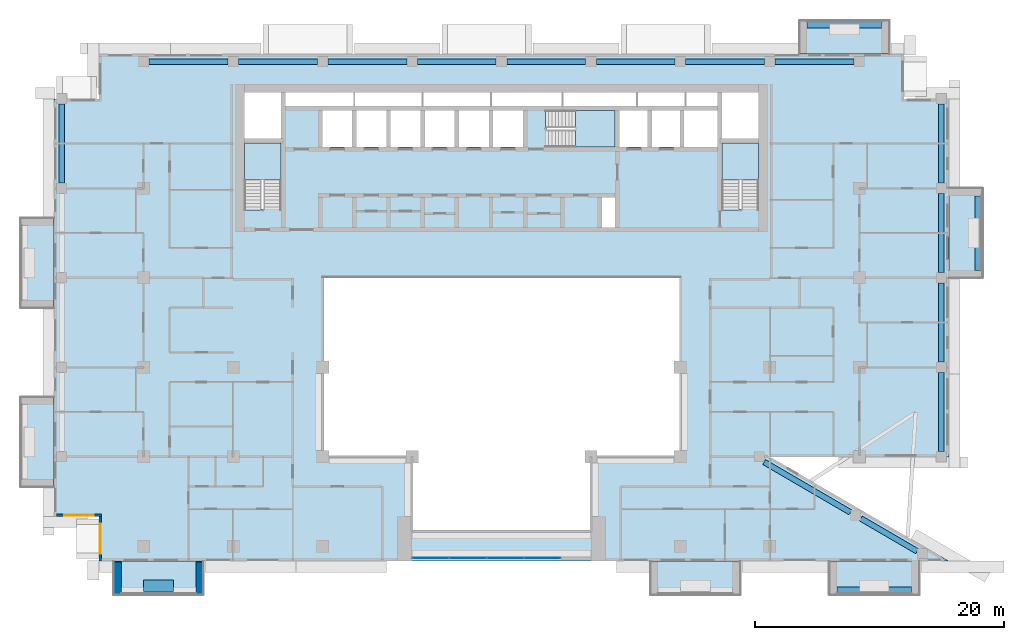
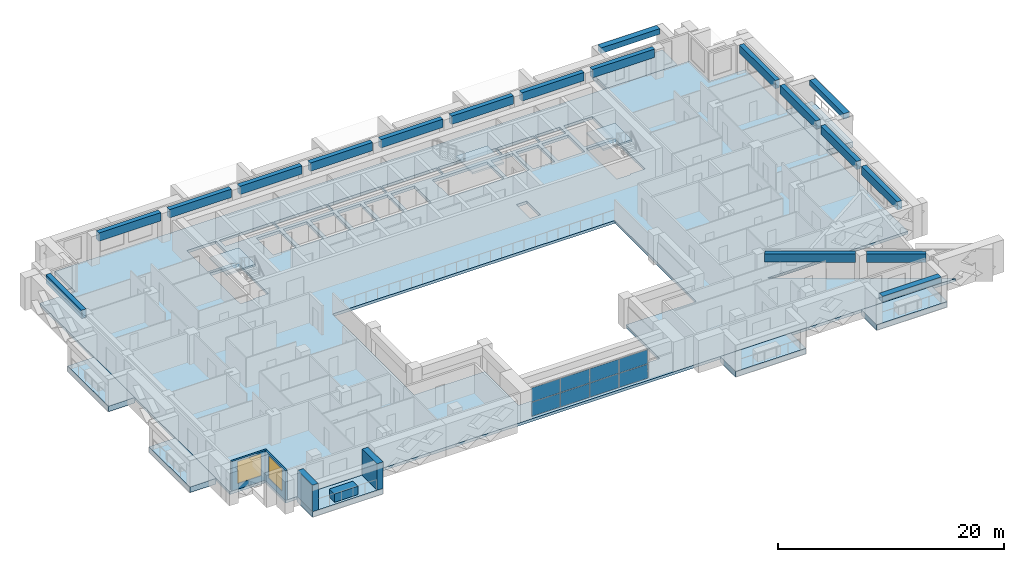
# One storey, part 5 of 20: 18 beams, 11 slabs, 8 plates, 5 walls, 2 windows, 2 openings, 4 elements without a shape of their own.
"""IFC4 building model written with IfcOpenShell, lengths in metres."""

import ifcopenshell
import ifcopenshell.guid

model = None  # the IFC model being written
_history = None  # IfcOwnerHistory: only IFC2X3 demands one
_inside = {}  # id of a spatial element -> (the spatial element, [elements in it])
_under = {}  # id of a project, library or spatial element -> (it, [spatial elements below it])
_declared = {}  # id of a project -> (the project, [libraries it declares])
_typed = {}  # id of a type object -> (the type object, [elements of that type])
_made_of = {}  # id of a material, layer set ... -> (it, [elements and type objects made of it])


def new_model(schema):
    """Start an empty IFC model of exactly this schema.

    Asked for "IFC4X3", IfcOpenShell would pick the latest addendum, in which some entities
    have other attributes; the version numbers below select the first issue.
    IFC2X3 requires an IfcOwnerHistory on every rooted entity: one is made here for all.
    """
    global model, _history
    if schema == "IFC4X3":
        model = ifcopenshell.file(schema_version=(4, 3, 0, 0))
    else:
        model = ifcopenshell.file(schema=schema)
    _inside.clear()
    _under.clear()
    _declared.clear()
    _typed.clear()
    _made_of.clear()
    _history = None
    if model.schema == "IFC2X3":
        org = make("IfcOrganization", Name="unknown")
        user = make(
            "IfcPersonAndOrganization",
            ThePerson=make("IfcPerson", FamilyName="unknown"),
            TheOrganization=org,
        )
        app = make(
            "IfcApplication",
            ApplicationDeveloper=org,
            Version="unknown",
            ApplicationFullName="unknown",
            ApplicationIdentifier="unknown",
        )
        _history = make(
            "IfcOwnerHistory",
            OwningUser=user,
            OwningApplication=app,
            ChangeAction="ADDED",
            CreationDate=0,
        )
    return model


def make(cls, **values):
    """One entity of the class cls with the attributes given. An attribute that is None is left unset."""
    return model.create_entity(
        cls, **{name: value for name, value in values.items() if value is not None}
    )


def rooted(cls, **values):
    """An entity with a GlobalId (a new one), such as an element, a storey or a relation."""
    return make(cls, GlobalId=ifcopenshell.guid.new(), OwnerHistory=_history, **values)


def si_unit(unit_type, name, prefix=None):
    """IfcSIUnit, for example si_unit("LENGTHUNIT", "METRE", prefix="MILLI")."""
    return make("IfcSIUnit", UnitType=unit_type, Prefix=prefix, Name=name)


def assignment(units):
    """IfcUnitAssignment: the units of a project."""
    return None if units is None else make("IfcUnitAssignment", Units=units)


def point(xyz):
    """IfcCartesianPoint."""
    return None if xyz is None else make("IfcCartesianPoint", Coordinates=xyz)


def direction(xyz):
    """IfcDirection."""
    return None if xyz is None else make("IfcDirection", DirectionRatios=xyz)


def frame(location, z_axis=None, x_axis=None):
    """IfcAxis2Placement3D, a coordinate frame: its origin and axes. An axis left out is left unset."""
    return make(
        "IfcAxis2Placement3D",
        Location=point(location),
        Axis=direction(z_axis),
        RefDirection=direction(x_axis),
    )


def frame_2d(location, x_axis=None):
    """IfcAxis2Placement2D, a coordinate frame in the plane: its origin and x axis."""
    return make(
        "IfcAxis2Placement2D", Location=point(location), RefDirection=direction(x_axis)
    )


def origin():
    """The frame at (0, 0, 0) with its axes left unset."""
    return frame((0.0, 0.0, 0.0))


def origin_2d():
    """The frame at (0, 0) in the plane with its x axis left unset."""
    return frame_2d((0.0, 0.0))


def place(relative_to, where):
    """IfcLocalPlacement: puts the frame where relative to a parent placement (None: the world)."""
    return make(
        "IfcLocalPlacement", PlacementRelTo=relative_to, RelativePlacement=where
    )


def context(
    kind, dimensions, precision=None, world=None, true_north=None, identifier=None
):
    """IfcGeometricRepresentationContext, for example the 3D "Model" context."""
    return make(
        "IfcGeometricRepresentationContext",
        ContextIdentifier=identifier,
        ContextType=kind,
        CoordinateSpaceDimension=dimensions,
        Precision=precision,
        WorldCoordinateSystem=world,
        TrueNorth=true_north,
    )


def subcontext(parent, identifier, kind, view, scale=None):
    """IfcGeometricRepresentationSubContext, for example "Body" below "Model"."""
    return make(
        "IfcGeometricRepresentationSubContext",
        ContextIdentifier=identifier,
        ContextType=kind,
        ParentContext=parent,
        TargetScale=scale,
        TargetView=view,
    )


def project(units=None, contexts=None):
    """IfcProject with its units and contexts."""
    return rooted(
        "IfcProject",
        Name="project",
        RepresentationContexts=contexts,
        UnitsInContext=assignment(units),
    )


def spatial(cls, under=None, at=None, **own):
    """A site, building, storey or space (cls), placed at a placement, below another one or the project."""
    s = rooted(cls, ObjectPlacement=at, **own)
    if under is not None:
        _under.setdefault(under.id(), (under, []))[1].append(s)
    return s


def polyline(points):
    """IfcPolyline through the points."""
    return make("IfcPolyline", Points=[point(p) for p in points])


def profile(cls, at=None, kind="AREA", **sizes):
    """A parametric profile (cls). Its sizes go by their IFC names, for example OverallWidth=200.0."""
    return make(cls, ProfileType=kind, Position=at, **sizes)


def rectangle(**sizes):
    """IfcRectangleProfileDef."""
    return profile("IfcRectangleProfileDef", **sizes)


def outline(outer, holes=None, kind="AREA"):
    """IfcArbitraryClosedProfileDef: a profile drawn as a closed curve; with holes, ...WithVoids."""
    if holes is None:
        return make("IfcArbitraryClosedProfileDef", ProfileType=kind, OuterCurve=outer)
    return make(
        "IfcArbitraryProfileDefWithVoids",
        ProfileType=kind,
        OuterCurve=outer,
        InnerCurves=holes,
    )


def extrude(swept, where, along, depth):
    """IfcExtrudedAreaSolid: the profile swept, set in the frame where, extruded along a direction by depth."""
    return make(
        "IfcExtrudedAreaSolid",
        SweptArea=swept,
        Position=where,
        ExtrudedDirection=direction(along),
        Depth=depth,
    )


def shape(context_of_items, identifier, shape_type, items):
    """IfcShapeRepresentation: the items that make up one representation, for example the "Body"."""
    return make(
        "IfcShapeRepresentation",
        ContextOfItems=context_of_items,
        RepresentationIdentifier=identifier,
        RepresentationType=shape_type,
        Items=items,
    )


def source(mapping_origin, context_of_items, identifier, shape_type, items):
    """IfcRepresentationMap: a shape defined once, which mapped items show again and again."""
    return make(
        "IfcRepresentationMap",
        MappingOrigin=mapping_origin,
        MappedRepresentation=shape(context_of_items, identifier, shape_type, items),
    )


def transform(
    local_origin,
    x_axis=None,
    y_axis=None,
    z_axis=None,
    scale=None,
    scale2=None,
    scale3=None,
    uniform=True,
):
    """IfcCartesianTransformationOperator3D, or its non-uniform kind. x_axis, y_axis, z_axis: its Axis1, 2, 3."""
    if uniform:
        return make(
            "IfcCartesianTransformationOperator3D",
            Axis1=direction(x_axis),
            Axis2=direction(y_axis),
            LocalOrigin=point(local_origin),
            Scale=scale,
            Axis3=direction(z_axis),
        )
    return make(
        "IfcCartesianTransformationOperator3DnonUniform",
        Axis1=direction(x_axis),
        Axis2=direction(y_axis),
        LocalOrigin=point(local_origin),
        Scale=scale,
        Axis3=direction(z_axis),
        Scale2=scale2,
        Scale3=scale3,
    )


def mapped(mapping_source, mapping_target):
    """IfcMappedItem: shows the shape of a source again, moved by a transform."""
    return make(
        "IfcMappedItem", MappingSource=mapping_source, MappingTarget=mapping_target
    )


def material(Name=None, Category=None):
    """IfcMaterial."""
    return make("IfcMaterial", Name=Name, Category=Category)


def layer(
    of_material, thickness, ventilated=None, Name=None, Category=None, Priority=None
):
    """IfcMaterialLayer: one layer of a wall or slab, of a material (None: an air gap)."""
    return make(
        "IfcMaterialLayer",
        Material=of_material,
        LayerThickness=thickness,
        IsVentilated=ventilated,
        Name=Name,
        Category=Category,
        Priority=Priority,
    )


def layer_set(layers, Name=None):
    """IfcMaterialLayerSet."""
    return make("IfcMaterialLayerSet", MaterialLayers=layers, LayerSetName=Name)


def material_profile(
    of_material, cross_section, Name=None, Category=None, Priority=None
):
    """IfcMaterialProfile: a cross section and its material."""
    return make(
        "IfcMaterialProfile",
        Name=Name,
        Material=of_material,
        Profile=cross_section,
        Priority=Priority,
        Category=Category,
    )


def profile_set(profiles, Name=None, composite=None):
    """IfcMaterialProfileSet."""
    return make(
        "IfcMaterialProfileSet",
        Name=Name,
        MaterialProfiles=profiles,
        CompositeProfile=composite,
    )


def made_of(thing, what):
    """Note that an element or type object is made of a material, layer set ...; save() writes the relation."""
    if what is not None:
        _made_of.setdefault(what.id(), (what, []))[1].append(thing)
    return thing


def type_object(cls, material=None, **own):
    """A type object (cls), such as IfcWallType, which elements share."""
    return made_of(rooted(cls, **own), material)


def element(
    cls,
    number,
    at=None,
    inside=None,
    cuts=None,
    type_object=None,
    material=None,
    context=None,
    identifier="Body",
    shape_type=None,
    held_by="IfcProductDefinitionShape",
    body=None,
    shapes=None,
    **own,
):
    """One element of the class cls, such as IfcWall. Its Tag is "e" and its number.

    at: its placement. inside: the storey or other place that contains it. cuts: it is an
    opening in that element (IfcRelVoidsElement). A single representation is given by context,
    identifier, shape_type and body (its items); several are given by shapes. held_by: the class
    of the entity that holds the representations. save() writes the other relations.
    """
    e = rooted(cls, Tag="e%d" % number, ObjectPlacement=at, **own)
    if body is not None:
        shapes = [shape(context, identifier, shape_type, body)]
    if shapes is not None:
        e.Representation = make(held_by, Representations=shapes)
    if inside is not None:
        _inside.setdefault(inside.id(), (inside, []))[1].append(e)
    if cuts is not None:
        rooted(
            "IfcRelVoidsElement", RelatingBuildingElement=cuts, RelatedOpeningElement=e
        )
    if type_object is not None:
        _typed.setdefault(type_object.id(), (type_object, []))[1].append(e)
    return made_of(e, material)


def fill(opening, filler):
    """IfcRelFillsElement: the door or window that sits in an opening."""
    return rooted(
        "IfcRelFillsElement",
        RelatingOpeningElement=opening,
        RelatedBuildingElement=filler,
    )


def aggregate(whole, parts):
    """IfcRelAggregates: a whole, such as a stair, and the parts it consists of."""
    return rooted("IfcRelAggregates", RelatingObject=whole, RelatedObjects=parts)


def save(model, path):
    """Write the relations noted so far, then the file.

    IfcRelAggregates (storeys below a building ...), IfcRelContainedInSpatialStructure (elements
    in a storey), IfcRelDefinesByType, IfcRelAssociatesMaterial and IfcRelDeclares: one each for
    every whole, place, type object, material and project.
    """
    for whole, parts in _under.values():
        aggregate(whole, parts)
    for where, things in _inside.values():
        rooted(
            "IfcRelContainedInSpatialStructure",
            RelatedElements=things,
            RelatingStructure=where,
        )
    for kind, things in _typed.values():
        rooted("IfcRelDefinesByType", RelatedObjects=things, RelatingType=kind)
    for what, things in _made_of.values():
        rooted("IfcRelAssociatesMaterial", RelatedObjects=things, RelatingMaterial=what)
    for by, libraries in _declared.values():
        rooted("IfcRelDeclares", RelatingContext=by, RelatedDefinitions=libraries)
    model.write(path)


model = new_model("IFC4")

# Units and contexts
model_context = context("Model", 3, precision=1e-05, world=origin(), true_north=direction((0.0, 1.0)))
body_context = subcontext(model_context, "Body", "Model", "MODEL_VIEW")
ifc_project = project(units=[si_unit("LENGTHUNIT", "METRE"), si_unit("AREAUNIT", "SQUARE_METRE"), si_unit("VOLUMEUNIT", "CUBIC_METRE"), si_unit("PLANEANGLEUNIT", "RADIAN"), si_unit("MASSUNIT", "GRAM", prefix="KILO")], contexts=[model_context])

# Site, building, storey
site_placement = place(None, origin())
site = spatial("IfcSite", under=ifc_project, at=site_placement, CompositionType="ELEMENT")
building_placement = place(site_placement, origin())
building = spatial("IfcBuilding", under=site, at=building_placement, Name="Saffron Iwan Residences", CompositionType="ELEMENT")
storey_placement = place(building_placement, frame((0.0, 0.0, 171.0)))
storey = spatial("IfcBuildingStorey", under=building, at=storey_placement, Name="L45", CompositionType="ELEMENT", Elevation=171.0)

# Beams
ifc_material_1 = material(Name="Concrete C50/60", Category="concrete")
ifc_material_profile_1 = material_profile(ifc_material_1, rectangle(XDim=0.449951171875, YDim=0.89990234375, at=origin_2d()), Name="RC 450x900")
ifc_profile_set_1 = profile_set([ifc_material_profile_1], Name="Concrete C50/60")
beam_type_1 = type_object("IfcBeamType", Name="SPANDREL BEAM RC 450x900 C50/60 TOP 3200", PredefinedType="SPANDREL", material=ifc_profile_set_1)
shared_shape_1 = source(origin(), body_context, "Body", "SweptSolid", [
    extrude(rectangle(XDim=0.449951171875, YDim=0.89990234375, at=origin_2d()), origin(), (0.0, 0.0, 1.0), 5.24267578125),
])
beam_1_placement = place(storey_placement, frame((79.32275390625, 43.03369140625, 2.75), z_axis=(0.863783967805, -0.503862339299, 0.0), x_axis=(0.503862339299, 0.863783967805, 0.0)))
element("IfcBeam", 1, at=beam_1_placement, inside=storey, type_object=beam_type_1, Name="Spandrel beam", PredefinedType="SPANDREL", context=body_context, shape_type="MappedRepresentation", body=[
    mapped(shared_shape_1, transform((0.0, 0.0, 0.0))),
])
shared_shape_2 = source(origin(), body_context, "Body", "SweptSolid", [
    extrude(rectangle(XDim=0.449951171875, YDim=0.89990234375, at=origin_2d()), origin(), (0.0, 0.0, 1.0), 8.028564453125),
])
beam_2_placement = place(storey_placement, frame((71.537841796875, 47.574951171875, 2.75), z_axis=(0.863773386225, -0.503880479132, 0.0), x_axis=(0.503880479132, 0.863773386225, 0.0)))
element("IfcBeam", 2, at=beam_2_placement, inside=storey, type_object=beam_type_1, Name="Spandrel beam", PredefinedType="SPANDREL", context=body_context, shape_type="MappedRepresentation", body=[
    mapped(shared_shape_2, transform((0.0, 0.0, 0.0))),
])
shared_shape_3 = source(origin(), body_context, "Body", "SweptSolid", [
    extrude(rectangle(XDim=0.449951171875, YDim=0.89990234375, at=origin_2d()), origin(), (0.0, 0.0, 1.0), 6.349853515625),
])
for number, where, z_axis, x_axis, name in (
    (3, (85.800048828125, 54.77490234375, 2.75), (0.0, -1.0, 0.0), (1.0, 0.0, 0.0), "Spandrel beam"),
    (4, (29.22509765625, 79.800048828125, 2.75), (1.0, 0.0, 0.0), (0.0, 1.0, 0.0), "Spandrel beam"),
    (5, (36.425048828125, 79.800048828125, 2.75), (1.0, 0.0, 0.0), (0.0, 1.0, 0.0), "Spandrel beam"),
    (6, (65.22509765625, 79.800048828125, 2.75), (1.0, 0.0, 0.0), (0.0, 1.0, 0.0), "Spandrel beam"),
    (7, (72.425048828125, 79.800048828125, 2.75), (1.0, 0.0, 0.0), (0.0, 1.0, 0.0), "Spandrel beam"),
):
    element("IfcBeam", number, at=place(storey_placement, frame(where, z_axis=z_axis, x_axis=x_axis)), inside=storey, type_object=beam_type_1, Name=name, PredefinedType="SPANDREL", context=body_context, shape_type="MappedRepresentation", body=[
        mapped(shared_shape_3, transform((0.0, 0.0, 0.0))),
    ])
shared_shape_4 = source(origin(), body_context, "Body", "SweptSolid", [
    extrude(rectangle(XDim=0.449951171875, YDim=0.89990234375, at=origin_2d()), origin(), (0.0, 0.0, 1.0), 6.35009765625),
])
for number, where, z_axis, x_axis, name in (
    (8, (85.800048828125, 61.97509765625, 2.75), (0.0, -1.0, 0.0), (1.0, 0.0, 0.0), "Spandrel beam"),
    (9, (85.800048828125, 69.175048828125, 2.75), (0.0, -1.0, 0.0), (1.0, 0.0, 0.0), "Spandrel beam"),
    (10, (15.0, 70.02490234375, 2.75), (0.0, 1.0, 0.0), (-1.0, 0.0, 0.0), "Spandrel beam"),
    (11, (85.800048828125, 76.375, 2.75), (0.0, -1.0, 0.0), (1.0, 0.0, 0.0), "Spandrel beam"),
    (12, (22.02490234375, 79.800048828125, 2.75), (1.0, 0.0, 0.0), (0.0, 1.0, 0.0), "Spandrel beam"),
    (13, (43.625, 79.800048828125, 2.75), (1.0, 0.0, 0.0), (0.0, 1.0, 0.0), "Spandrel beam"),
    (14, (50.824951171875, 79.800048828125, 2.75), (1.0, 0.0, 0.0), (0.0, 1.0, 0.0), "Spandrel beam"),
    (15, (58.02490234375, 79.800048828125, 2.75), (1.0, 0.0, 0.0), (0.0, 1.0, 0.0), "Spandrel beam"),
):
    element("IfcBeam", number, at=place(storey_placement, frame(where, z_axis=z_axis, x_axis=x_axis)), inside=storey, type_object=beam_type_1, Name=name, PredefinedType="SPANDREL", context=body_context, shape_type="MappedRepresentation", body=[
        mapped(shared_shape_4, transform((0.0, 0.0, 0.0))),
    ])
ifc_material_2 = material(Name="Concrete C50/60 white painted", Category="concrete")
ifc_material_profile_2 = material_profile(ifc_material_2, rectangle(XDim=0.60009765625, YDim=0.60009765625, at=origin_2d()), Name="BALCONY FASCIA BEAM 600 x 600")
ifc_profile_set_2 = profile_set([ifc_material_profile_2], Name="Concrete C50/60 white painted")
beam_type_2 = type_object("IfcBeamType", Name="BALCONY FASCIA BEAM 600 x 600", PredefinedType="BEAM", material=ifc_profile_set_2)
shared_shape_5 = source(origin(), body_context, "Body", "SweptSolid", [
    extrude(rectangle(XDim=0.60009765625, YDim=0.60009765625, at=origin_2d()), origin(), (0.0, 0.0, 1.0), 6.0),
])
for number, where, z_axis, x_axis, name in (
    (16, (88.800048828125, 63.0, 2.550048828125), (0.0, 1.0, 0.0), (-1.0, 0.0, 0.0), "Balcony fascia beam L45 F2-0"),
    (17, (81.0, 82.800048828125, 2.550048828125), (-1.0, 0.0, 0.0), (0.0, -1.0, 0.0), "Balcony fascia beam L45 F5-0"),
    (18, (77.39990234375, 37.199951171875, 2.550048828125), (1.0, 0.0, 0.0), (0.0, 1.0, 0.0), "Balcony fascia beam L45 11-3"),
):
    element("IfcBeam", number, at=place(storey_placement, frame(where, z_axis=z_axis, x_axis=x_axis)), inside=storey, type_object=beam_type_2, Name=name, PredefinedType="BEAM", context=body_context, shape_type="MappedRepresentation", body=[
        mapped(shared_shape_5, transform((0.0, 0.0, 0.0))),
    ])

# Slabs
ifc_layer_1 = layer(ifc_material_2, 0.60009765625)
ifc_layer_set_1 = layer_set([ifc_layer_1], Name="Concrete C50/60 white painted")
slab_type_1 = type_object("IfcSlabType", Name="BALCONY FRAME SLAB 600", PredefinedType="FLOOR", material=ifc_layer_set_1)
slab_1_placement = place(storey_placement, frame((0.0, 0.0, -0.60009765625)))
element("IfcSlab", 19, at=slab_1_placement, inside=storey, type_object=slab_type_1, Name="Balcony frame slab L45 F2-0", PredefinedType="FLOOR", context=body_context, shape_type="SweptSolid", body=[
    extrude(outline(polyline([(89.10009765625, 62.39990234375), (89.10009765625, 69.60009765625), (86.39990234375, 69.60009765625), (86.39990234375, 62.39990234375), (89.10009765625, 62.39990234375)])), origin(), (0.0, 0.0, 1.0), 0.60009765625),
])
slab_2_placement = place(storey_placement, frame((0.0, 0.0, -0.60009765625)))
element("IfcSlab", 20, at=slab_2_placement, inside=storey, type_object=slab_type_1, Name="Balcony frame slab L45 F5-0", PredefinedType="FLOOR", context=body_context, shape_type="SweptSolid", body=[
    extrude(outline(polyline([(81.60009765625, 83.10009765625), (74.39990234375, 83.10009765625), (74.39990234375, 80.39990234375), (81.60009765625, 80.39990234375), (81.60009765625, 83.10009765625)])), origin(), (0.0, 0.0, 1.0), 0.60009765625),
])
slab_3_placement = place(storey_placement, frame((0.0, 0.0, -0.60009765625)))
element("IfcSlab", 21, at=slab_3_placement, inside=storey, type_object=slab_type_1, Name="Balcony frame slab L45 F8-0", PredefinedType="FLOOR", context=body_context, shape_type="SweptSolid", body=[
    extrude(outline(polyline([(11.699951171875, 67.199951171875), (11.699951171875, 60.0), (14.39990234375, 60.0), (14.39990234375, 67.199951171875), (11.699951171875, 67.199951171875)])), origin(), (0.0, 0.0, 1.0), 0.60009765625),
])
slab_4_placement = place(storey_placement, frame((0.0, 0.0, -0.60009765625)))
element("IfcSlab", 22, at=slab_4_placement, inside=storey, type_object=slab_type_1, Name="Balcony frame slab L45 F8-1", PredefinedType="FLOOR", context=body_context, shape_type="SweptSolid", body=[
    extrude(outline(polyline([(11.699951171875, 52.800048828125), (11.699951171875, 45.60009765625), (14.39990234375, 45.60009765625), (14.39990234375, 52.800048828125), (11.699951171875, 52.800048828125)])), origin(), (0.0, 0.0, 1.0), 0.60009765625),
])
slab_5_placement = place(storey_placement, frame((0.0, 0.0, -0.60009765625)))
element("IfcSlab", 23, at=slab_5_placement, inside=storey, type_object=slab_type_1, Name="Balcony frame slab L45 11-0", PredefinedType="FLOOR", context=body_context, shape_type="SweptSolid", body=[
    extrude(outline(polyline([(19.199951171875, 36.89990234375), (26.39990234375, 36.89990234375), (26.39990234375, 39.60009765625), (19.199951171875, 39.60009765625), (19.199951171875, 36.89990234375)])), origin(), (0.0, 0.0, 1.0), 0.60009765625),
])
slab_6_placement = place(storey_placement, frame((0.0, 0.0, -0.60009765625)))
element("IfcSlab", 24, at=slab_6_placement, inside=storey, type_object=slab_type_1, Name="Balcony frame slab L45 11-2", PredefinedType="FLOOR", context=body_context, shape_type="SweptSolid", body=[
    extrude(outline(polyline([(62.39990234375, 36.89990234375), (69.60009765625, 36.89990234375), (69.60009765625, 39.60009765625), (62.39990234375, 39.60009765625), (62.39990234375, 36.89990234375)])), origin(), (0.0, 0.0, 1.0), 0.60009765625),
])
slab_7_placement = place(storey_placement, frame((0.0, 0.0, -0.60009765625)))
element("IfcSlab", 25, at=slab_7_placement, inside=storey, type_object=slab_type_1, Name="Balcony frame slab L45 11-3", PredefinedType="FLOOR", context=body_context, shape_type="SweptSolid", body=[
    extrude(outline(polyline([(76.800048828125, 36.89990234375), (84.0, 36.89990234375), (84.0, 39.60009765625), (76.800048828125, 39.60009765625), (76.800048828125, 36.89990234375)])), origin(), (0.0, 0.0, 1.0), 0.60009765625),
])
ifc_material_3 = material(Name="Concrete C40/50", Category="concrete")
ifc_layer_2 = layer(ifc_material_3, 0.300048828125)
ifc_layer_set_2 = layer_set([ifc_layer_2], Name="Concrete C40/50")
slab_type_2 = type_object("IfcSlabType", Name="PT PLATE 300 C40/50", PredefinedType="FLOOR", material=ifc_layer_set_2)
slab_8_placement = place(storey_placement, frame((0.0, 0.0, -0.300048828125)))
element("IfcSlab", 26, at=slab_8_placement, inside=storey, type_object=slab_type_2, Name="Floor slab L45", PredefinedType="FLOOR", context=body_context, shape_type="SweptSolid", body=[
    extrude(outline(polyline([(14.39990234375, 43.199951171875), (14.39990234375, 76.800048828125), (18.0, 76.800048828125), (18.0, 80.39990234375), (82.800048828125, 80.39990234375), (82.800048828125, 76.800048828125), (86.39990234375, 76.800048828125), (86.39990234375, 48.0), (72.0, 48.0), (86.39990234375, 39.60009765625), (18.0, 39.60009765625), (18.0, 43.199951171875), (14.39990234375, 43.199951171875)]), holes=[polyline([(64.800048828125, 48.0), (64.800048828125, 62.39990234375), (36.0, 62.39990234375), (36.0, 48.0), (43.199951171875, 48.0), (43.199951171875, 42.0), (57.60009765625, 42.0), (57.60009765625, 48.0), (64.800048828125, 48.0)]), polyline([(29.699951171875, 73.25), (29.699951171875, 67.949951171875), (29.699951171875, 67.8505859375), (31.10009765625, 67.8505859375), (31.10009765625, 67.949951171875), (32.64990234375, 67.949951171875), (32.64990234375, 73.25), (29.699951171875, 73.25)]), polyline([(38.375, 75.875), (35.97509765625, 75.875), (35.97509765625, 72.925048828125), (38.375, 72.925048828125), (38.375, 75.875)]), polyline([(41.125, 75.875), (38.72509765625, 75.875), (38.72509765625, 72.925048828125), (41.125, 72.925048828125), (41.125, 75.875)]), polyline([(43.875, 72.925048828125), (43.875, 75.875), (41.47509765625, 75.875), (41.47509765625, 72.925048828125), (43.875, 72.925048828125)]), polyline([(46.625, 72.925048828125), (46.625, 75.875), (44.22509765625, 75.875), (44.22509765625, 72.925048828125), (46.625, 72.925048828125)]), polyline([(49.375, 75.875), (46.97509765625, 75.875), (46.97509765625, 72.925048828125), (49.375, 72.925048828125), (49.375, 75.875)]), polyline([(52.125, 72.925048828125), (52.125, 75.875), (49.72509765625, 75.875), (49.72509765625, 72.925048828125), (52.125, 72.925048828125)]), polyline([(32.64990234375, 73.60009765625), (32.64990234375, 77.300048828125), (29.699951171875, 77.300048828125), (29.699951171875, 73.60009765625), (32.64990234375, 73.60009765625)]), polyline([(38.5, 77.300048828125), (33.0, 77.300048828125), (33.0, 76.22509765625), (38.5, 76.22509765625), (38.5, 77.300048828125)]), polyline([(44.0, 76.22509765625), (44.0, 77.300048828125), (38.60009765625, 77.300048828125), (38.60009765625, 76.22509765625), (44.0, 76.22509765625)]), polyline([(49.5, 76.22509765625), (49.5, 77.300048828125), (44.10009765625, 77.300048828125), (44.10009765625, 76.22509765625), (49.5, 76.22509765625)]), polyline([(59.550048828125, 68.875), (58.47509765625, 68.875), (58.47509765625, 66.449951171875), (59.550048828125, 66.449951171875), (59.550048828125, 68.875)]), polyline([(68.14990234375, 73.25), (68.14990234375, 67.949951171875), (68.14990234375, 67.8505859375), (69.550048828125, 67.8505859375), (69.550048828125, 67.949951171875), (71.10009765625, 67.949951171875), (71.10009765625, 73.25), (68.14990234375, 73.25)]), polyline([(54.02490234375, 74.47509765625), (54.02490234375, 72.925048828125), (59.550048828125, 72.925048828125), (59.550048828125, 75.875), (54.02490234375, 75.875), (53.925537109375, 75.875), (53.925537109375, 74.47509765625), (54.02490234375, 74.47509765625)]), polyline([(62.14990234375, 72.925048828125), (62.14990234375, 75.875), (59.89990234375, 75.875), (59.89990234375, 72.925048828125), (62.14990234375, 72.925048828125)]), polyline([(64.75, 72.925048828125), (64.75, 75.875), (62.5, 75.875), (62.5, 72.925048828125), (64.75, 72.925048828125)]), polyline([(67.800048828125, 75.875), (65.10009765625, 75.875), (65.10009765625, 72.925048828125), (67.800048828125, 72.925048828125), (67.800048828125, 75.875)]), polyline([(71.10009765625, 73.60009765625), (71.10009765625, 77.300048828125), (68.14990234375, 77.300048828125), (68.14990234375, 73.60009765625), (71.10009765625, 73.60009765625)]), polyline([(55.25, 76.22509765625), (55.25, 77.300048828125), (49.60009765625, 77.300048828125), (49.60009765625, 76.22509765625), (55.25, 76.22509765625)]), polyline([(61.25, 77.300048828125), (55.35009765625, 77.300048828125), (55.35009765625, 76.22509765625), (61.25, 76.22509765625), (61.25, 77.300048828125)]), polyline([(65.14990234375, 76.22509765625), (65.14990234375, 77.300048828125), (61.35009765625, 77.300048828125), (61.35009765625, 76.22509765625), (65.14990234375, 76.22509765625)]), polyline([(67.800048828125, 76.22509765625), (67.800048828125, 77.300048828125), (65.25, 77.300048828125), (65.25, 76.22509765625), (67.800048828125, 76.22509765625)])]), origin(), (0.0, 0.0, 1.0), 0.300048828125),
])

# Stair, slab
stair_type = type_object("IfcStairType", Name="Stair ST-CORE", PredefinedType="HALF_TURN_STAIR", material=ifc_material_1)
stair_1_placement = place(storey_placement, origin())
stair_1 = element("IfcStair", 27, at=stair_1_placement, inside=storey, type_object=stair_type, Name="L45 Exit Stair ST-W", PredefinedType="HALF_TURN_STAIR")
ifc_layer_3 = layer(ifc_material_1, 0.199951171875)
ifc_layer_set_3 = layer_set([ifc_layer_3], Name="Concrete C50/60")
slab_type_3 = type_object("IfcSlabType", Name="Stair landing SL-RC", PredefinedType="LANDING", material=ifc_layer_set_3)
slab_9_placement = place(storey_placement, frame((0.0, 0.0, 1.5498046875)))
slab_9 = element("IfcSlab", 28, at=slab_9_placement, type_object=slab_type_3, Name="ST-W landing 1", PredefinedType="LANDING", context=body_context, shape_type="SweptSolid", body=[
    extrude(outline(polyline([(32.64990234375, 70.280029296875), (32.64990234375, 73.25), (29.699951171875, 73.25), (29.699951171875, 70.280029296875), (32.64990234375, 70.280029296875)])), origin(), (0.0, 0.0, 1.0), 0.2001953125),
])
aggregate(stair_1, [slab_9])

stair_2_placement = place(storey_placement, origin())
stair_2 = element("IfcStair", 29, at=stair_2_placement, inside=storey, type_object=stair_type, Name="L45 Exit Stair ST-C", PredefinedType="HALF_TURN_STAIR")
slab_10_placement = place(storey_placement, frame((0.0, 0.0, 1.5498046875)))
slab_10 = element("IfcSlab", 30, at=slab_10_placement, type_object=slab_type_3, Name="ST-C landing 1", PredefinedType="LANDING", context=body_context, shape_type="SweptSolid", body=[
    extrude(outline(polyline([(56.35498046875, 72.925048828125), (59.550048828125, 72.925048828125), (59.550048828125, 75.875), (56.35498046875, 75.875), (56.35498046875, 72.925048828125)])), origin(), (0.0, 0.0, 1.0), 0.2001953125),
])
aggregate(stair_2, [slab_10])

stair_3_placement = place(storey_placement, origin())
stair_3 = element("IfcStair", 31, at=stair_3_placement, inside=storey, type_object=stair_type, Name="L45 Exit Stair ST-E", PredefinedType="HALF_TURN_STAIR")
slab_11_placement = place(storey_placement, frame((0.0, 0.0, 1.5498046875)))
slab_11 = element("IfcSlab", 32, at=slab_11_placement, type_object=slab_type_3, Name="ST-E landing 1", PredefinedType="LANDING", context=body_context, shape_type="SweptSolid", body=[
    extrude(outline(polyline([(71.10009765625, 70.280029296875), (71.10009765625, 73.25), (68.14990234375, 73.25), (68.14990234375, 70.280029296875), (71.10009765625, 70.280029296875)])), origin(), (0.0, 0.0, 1.0), 0.2001953125),
])
aggregate(stair_3, [slab_11])

# Curtain wall, plates
ifc_material_4 = material(Name="Clear glass, laminated double glazed", Category="glass")
ifc_layer_4 = layer(ifc_material_4, 0.199951171875)
ifc_layer_set_4 = layer_set([ifc_layer_4], Name="Clear glass, laminated double glazed")
curtain_wall_type = type_object("IfcCurtainWallType", Name="CW-B IWAN PORTAL", PredefinedType="NOTDEFINED", material=ifc_layer_set_4)
curtain_wall_placement = place(storey_placement, origin())
curtain_wall = element("IfcCurtainWall", 33, at=curtain_wall_placement, inside=storey, type_object=curtain_wall_type, Name="Iwan portal glazing L45.1", PredefinedType="NOTDEFINED")
ifc_layer_5 = layer(ifc_material_4, 0.028076171875)
ifc_layer_set_5 = layer_set([ifc_layer_5], Name="Clear glass, laminated double glazed")
plate_type = type_object("IfcPlateType", Name="CW-B PANEL 28", PredefinedType="CURTAIN_PANEL", material=ifc_layer_set_5)
shared_shape_6 = source(origin(), body_context, "Body", "SweptSolid", [
    extrude(rectangle(XDim=2.909912109375, YDim=0.028076171875, at=origin_2d()), origin(), (0.0, 0.0, 1.0), 1.510009765625),
])
plate_1_placement = place(storey_placement, frame((44.715087890625, 39.85009765625, 0.06005859375), z_axis=(0.0, 0.0, 1.0), x_axis=(1.0, 0.0, 0.0)))
plate_1 = element("IfcPlate", 34, at=plate_1_placement, type_object=plate_type, Name="CW-B panel 1.1", PredefinedType="CURTAIN_PANEL", context=body_context, shape_type="MappedRepresentation", body=[
    mapped(shared_shape_6, transform((0.0, 0.0, 0.0))),
])
plate_2_placement = place(storey_placement, frame((44.715087890625, 39.85009765625, 1.6298828125), z_axis=(0.0, 0.0, 1.0), x_axis=(1.0, 0.0, 0.0)))
plate_2 = element("IfcPlate", 35, at=plate_2_placement, type_object=plate_type, Name="CW-B panel 1.2", PredefinedType="CURTAIN_PANEL", context=body_context, shape_type="MappedRepresentation", body=[
    mapped(shared_shape_6, transform((0.0, 0.0, 0.0))),
])
plate_3_placement = place(storey_placement, frame((53.68505859375, 39.85009765625, 0.06005859375), z_axis=(0.0, 0.0, 1.0), x_axis=(1.0, 0.0, 0.0)))
plate_3 = element("IfcPlate", 36, at=plate_3_placement, type_object=plate_type, Name="CW-B panel 4.1", PredefinedType="CURTAIN_PANEL", context=body_context, shape_type="MappedRepresentation", body=[
    mapped(shared_shape_6, transform((0.0, 0.0, 0.0))),
])
plate_4_placement = place(storey_placement, frame((53.68505859375, 39.85009765625, 1.6298828125), z_axis=(0.0, 0.0, 1.0), x_axis=(1.0, 0.0, 0.0)))
plate_4 = element("IfcPlate", 37, at=plate_4_placement, type_object=plate_type, Name="CW-B panel 4.2", PredefinedType="CURTAIN_PANEL", context=body_context, shape_type="MappedRepresentation", body=[
    mapped(shared_shape_6, transform((0.0, 0.0, 0.0))),
])
shared_shape_7 = source(origin(), body_context, "Body", "SweptSolid", [
    extrude(rectangle(XDim=2.93994140625, YDim=0.028076171875, at=origin_2d()), origin(), (0.0, 0.0, 1.0), 1.510009765625),
])
plate_5_placement = place(storey_placement, frame((47.699951171875, 39.85009765625, 0.06005859375), z_axis=(0.0, 0.0, 1.0), x_axis=(1.0, 0.0, 0.0)))
plate_5 = element("IfcPlate", 38, at=plate_5_placement, type_object=plate_type, Name="CW-B panel 2.1", PredefinedType="CURTAIN_PANEL", context=body_context, shape_type="MappedRepresentation", body=[
    mapped(shared_shape_7, transform((0.0, 0.0, 0.0))),
])
plate_6_placement = place(storey_placement, frame((47.699951171875, 39.85009765625, 1.6298828125), z_axis=(0.0, 0.0, 1.0), x_axis=(1.0, 0.0, 0.0)))
plate_6 = element("IfcPlate", 39, at=plate_6_placement, type_object=plate_type, Name="CW-B panel 2.2", PredefinedType="CURTAIN_PANEL", context=body_context, shape_type="MappedRepresentation", body=[
    mapped(shared_shape_7, transform((0.0, 0.0, 0.0))),
])
plate_7_placement = place(storey_placement, frame((50.699951171875, 39.85009765625, 0.06005859375), z_axis=(0.0, 0.0, 1.0), x_axis=(1.0, 0.0, 0.0)))
plate_7 = element("IfcPlate", 40, at=plate_7_placement, type_object=plate_type, Name="CW-B panel 3.1", PredefinedType="CURTAIN_PANEL", context=body_context, shape_type="MappedRepresentation", body=[
    mapped(shared_shape_7, transform((0.0, 0.0, 0.0))),
])
plate_8_placement = place(storey_placement, frame((50.699951171875, 39.85009765625, 1.6298828125), z_axis=(0.0, 0.0, 1.0), x_axis=(1.0, 0.0, 0.0)))
plate_8 = element("IfcPlate", 41, at=plate_8_placement, type_object=plate_type, Name="CW-B panel 3.2", PredefinedType="CURTAIN_PANEL", context=body_context, shape_type="MappedRepresentation", body=[
    mapped(shared_shape_7, transform((0.0, 0.0, 0.0))),
])
aggregate(curtain_wall, [plate_1, plate_2, plate_5, plate_6, plate_7, plate_8, plate_3, plate_4])

# Walls
ifc_layer_6 = layer(ifc_material_2, 0.60009765625)
ifc_layer_set_6 = layer_set([ifc_layer_6], Name="Concrete C50/60 white painted")
wall_type_1 = type_object("IfcWallType", Name="BALCONY FIN 600", PredefinedType="SOLIDWALL", material=ifc_layer_set_6)
for number, where, z_axis, x_axis, name in (
    (42, (19.5, 39.550048828125, 0.0), (0.0, 0.0, 1.0), (0.0, -1.0, 0.0), "Balcony fin L45 11-0a"),
    (43, (26.10009765625, 39.550048828125, 0.0), (0.0, 0.0, 1.0), (0.0, -1.0, 0.0), "Balcony fin L45 11-0b"),
):
    element("IfcWall", number, at=place(storey_placement, frame(where, z_axis=z_axis, x_axis=x_axis)), inside=storey, type_object=wall_type_1, Name=name, PredefinedType="SOLIDWALL", context=body_context, shape_type="SweptSolid", body=[
        extrude(rectangle(XDim=2.650146484375, YDim=0.60009765625, at=frame_2d((1.3251953125, 0.0))), origin(), (0.0, 0.0, 1.0), 2.85009765625),
    ])
ifc_material_5 = material(Name="Concrete C35/45 white painted", Category="concrete")
ifc_layer_7 = layer(ifc_material_5, 0.14990234375)
ifc_layer_set_7 = layer_set([ifc_layer_7], Name="Concrete C35/45 white painted")
wall_type_2 = type_object("IfcWallType", Name="BALCONY PLANTER", PredefinedType="SOLIDWALL", material=ifc_layer_set_7)
wall_1_placement = place(storey_placement, frame((21.60009765625, 37.625, 0.0), z_axis=(0.0, 0.0, 1.0), x_axis=(1.0, 0.0, 0.0)))
element("IfcWall", 44, at=wall_1_placement, inside=storey, type_object=wall_type_2, Name="PLANTER L45 11-0", PredefinedType="SOLIDWALL", context=body_context, shape_type="SweptSolid", body=[
    extrude(rectangle(XDim=2.39990234375, YDim=0.89990234375, at=frame_2d((1.199951171875, 0.0))), origin(), (0.0, 0.0, 1.0), 0.89990234375),
])

# Wall, opening, window
ifc_layer_8 = layer(ifc_material_3, 0.199951171875)
ifc_layer_set_8 = layer_set([ifc_layer_8], Name="Concrete C40/50")
wall_type_3 = type_object("IfcWallType", Name="EXTERNAL WALL 200", PredefinedType="SOLIDWALL", material=ifc_layer_set_8)
wall_2_placement = place(storey_placement, frame((14.60009765625, 43.300048828125, 0.0), z_axis=(0.0, 0.0, 1.0), x_axis=(1.0, 0.0, 0.0)))
wall_2 = element("IfcWall", 45, at=wall_2_placement, inside=storey, type_object=wall_type_3, Name="External wall L45 F9.0", PredefinedType="SOLIDWALL", context=body_context, shape_type="SweptSolid", body=[
    extrude(rectangle(XDim=3.599853515625, YDim=0.199951171875, at=frame_2d((1.7998046875, 0.0))), origin(), (0.0, 0.0, 1.0), 3.199951171875),
])
opening_1_placement = place(wall_2_placement, frame((0.60009765625, 0.0, 0.60009765625)))
opening_1 = element("IfcOpeningElement", 46, at=opening_1_placement, cuts=wall_2, Name="Opening W1", PredefinedType="OPENING", context=body_context, shape_type="SweptSolid", body=[
    extrude(rectangle(XDim=2.39990234375, YDim=2.39990234375, at=frame_2d((1.199951171875, 1.199951171875))), frame((0.0, 0.10986328125, 0.0), z_axis=(0.0, -1.0, 0.0), x_axis=(1.0, 0.0, 0.0)), (0.0, 0.0, 1.0), 0.219970703125),
])
window_type = type_object("IfcWindowType", Name="WINDOW 2400 x 2400", PartitioningType="DOUBLE_PANEL_VERTICAL", PredefinedType="WINDOW", material=ifc_material_4)
window_1_placement = place(opening_1_placement, origin())
window_1 = element("IfcWindow", 47, at=window_1_placement, inside=storey, type_object=window_type, Name="Window L45 F9.0", OverallHeight=2.39990234375, OverallWidth=2.39990234375, PartitioningType="DOUBLE_PANEL_VERTICAL", PredefinedType="WINDOW", context=body_context, shape_type="SweptSolid", body=[
    extrude(rectangle(XDim=2.39990234375, YDim=2.39990234375, at=frame_2d((1.199951171875, 1.199951171875))), frame((0.0, 0.030029296875, 0.0), z_axis=(0.0, -1.0, 0.0), x_axis=(1.0, 0.0, 0.0)), (0.0, 0.0, 1.0), 0.06005859375),
])
fill(opening_1, window_1)

wall_3_placement = place(storey_placement, frame((18.10009765625, 43.199951171875, 0.0), z_axis=(0.0, 0.0, 1.0), x_axis=(0.0, -1.0, 0.0)))
wall_3 = element("IfcWall", 48, at=wall_3_placement, inside=storey, type_object=wall_type_3, Name="External wall L45 F10.0", PredefinedType="SOLIDWALL", context=body_context, shape_type="SweptSolid", body=[
    extrude(rectangle(XDim=3.599853515625, YDim=0.199951171875, at=frame_2d((1.7998046875, 0.0))), origin(), (0.0, 0.0, 1.0), 3.199951171875),
])
opening_2_placement = place(wall_3_placement, frame((0.60009765625, 0.0, 0.60009765625)))
opening_2 = element("IfcOpeningElement", 49, at=opening_2_placement, cuts=wall_3, Name="Opening W1", PredefinedType="OPENING", context=body_context, shape_type="SweptSolid", body=[
    extrude(rectangle(XDim=2.39990234375, YDim=2.39990234375, at=frame_2d((1.199951171875, 1.199951171875))), frame((0.0, 0.10986328125, 0.0), z_axis=(0.0, -1.0, 0.0), x_axis=(1.0, 0.0, 0.0)), (0.0, 0.0, 1.0), 0.219970703125),
])
window_2_placement = place(opening_2_placement, origin())
window_2 = element("IfcWindow", 50, at=window_2_placement, inside=storey, type_object=window_type, Name="Window L45 F10.0", OverallHeight=2.39990234375, OverallWidth=2.39990234375, PartitioningType="DOUBLE_PANEL_VERTICAL", PredefinedType="WINDOW", context=body_context, shape_type="SweptSolid", body=[
    extrude(rectangle(XDim=2.39990234375, YDim=2.39990234375, at=frame_2d((1.199951171875, 1.199951171875))), frame((0.0, 0.030029296875, 0.0), z_axis=(0.0, -1.0, 0.0), x_axis=(1.0, 0.0, 0.0)), (0.0, 0.0, 1.0), 0.06005859375),
])
fill(opening_2, window_2)

save(model, "model.ifc")
